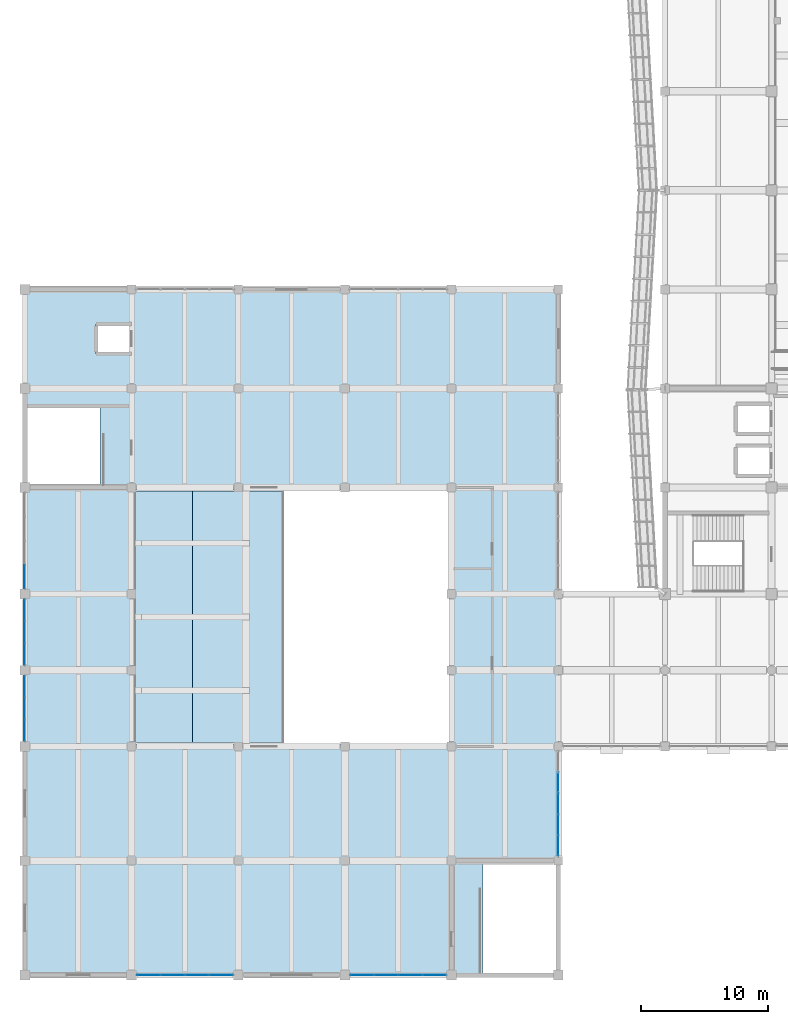
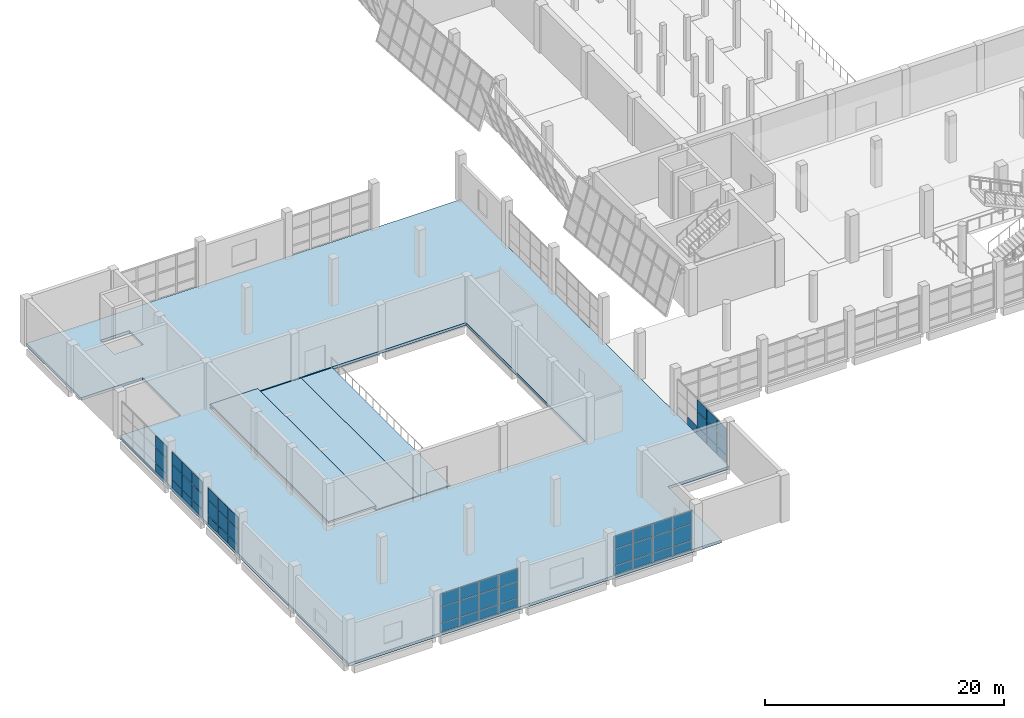
# One storey, part 64 of 91: 55 plates, 4 slabs, 6 elements without a shape of their own.
"""IFC4 building model written with IfcOpenShell, lengths in metres."""

import ifcopenshell
import ifcopenshell.guid

model = None  # the IFC model being written
_history = None  # IfcOwnerHistory: only IFC2X3 demands one
_inside = {}  # id of a spatial element -> (the spatial element, [elements in it])
_under = {}  # id of a project, library or spatial element -> (it, [spatial elements below it])
_declared = {}  # id of a project -> (the project, [libraries it declares])
_typed = {}  # id of a type object -> (the type object, [elements of that type])
_made_of = {}  # id of a material, layer set ... -> (it, [elements and type objects made of it])


def new_model(schema):
    """Start an empty IFC model of exactly this schema.

    Asked for "IFC4X3", IfcOpenShell would pick the latest addendum, in which some entities
    have other attributes; the version numbers below select the first issue.
    IFC2X3 requires an IfcOwnerHistory on every rooted entity: one is made here for all.
    """
    global model, _history
    if schema == "IFC4X3":
        model = ifcopenshell.file(schema_version=(4, 3, 0, 0))
    else:
        model = ifcopenshell.file(schema=schema)
    _inside.clear()
    _under.clear()
    _declared.clear()
    _typed.clear()
    _made_of.clear()
    _history = None
    if model.schema == "IFC2X3":
        org = make("IfcOrganization", Name="unknown")
        user = make(
            "IfcPersonAndOrganization",
            ThePerson=make("IfcPerson", FamilyName="unknown"),
            TheOrganization=org,
        )
        app = make(
            "IfcApplication",
            ApplicationDeveloper=org,
            Version="unknown",
            ApplicationFullName="unknown",
            ApplicationIdentifier="unknown",
        )
        _history = make(
            "IfcOwnerHistory",
            OwningUser=user,
            OwningApplication=app,
            ChangeAction="ADDED",
            CreationDate=0,
        )
    return model


def make(cls, **values):
    """One entity of the class cls with the attributes given. An attribute that is None is left unset."""
    return model.create_entity(
        cls, **{name: value for name, value in values.items() if value is not None}
    )


def rooted(cls, **values):
    """An entity with a GlobalId (a new one), such as an element, a storey or a relation."""
    return make(cls, GlobalId=ifcopenshell.guid.new(), OwnerHistory=_history, **values)


def si_unit(unit_type, name, prefix=None):
    """IfcSIUnit, for example si_unit("LENGTHUNIT", "METRE", prefix="MILLI")."""
    return make("IfcSIUnit", UnitType=unit_type, Prefix=prefix, Name=name)


def assignment(units):
    """IfcUnitAssignment: the units of a project."""
    return None if units is None else make("IfcUnitAssignment", Units=units)


def point(xyz):
    """IfcCartesianPoint."""
    return None if xyz is None else make("IfcCartesianPoint", Coordinates=xyz)


def direction(xyz):
    """IfcDirection."""
    return None if xyz is None else make("IfcDirection", DirectionRatios=xyz)


def frame(location, z_axis=None, x_axis=None):
    """IfcAxis2Placement3D, a coordinate frame: its origin and axes. An axis left out is left unset."""
    return make(
        "IfcAxis2Placement3D",
        Location=point(location),
        Axis=direction(z_axis),
        RefDirection=direction(x_axis),
    )


def origin():
    """The frame at (0, 0, 0) with its axes left unset."""
    return frame((0.0, 0.0, 0.0))


def place(relative_to, where):
    """IfcLocalPlacement: puts the frame where relative to a parent placement (None: the world)."""
    return make(
        "IfcLocalPlacement", PlacementRelTo=relative_to, RelativePlacement=where
    )


def context(
    kind, dimensions, precision=None, world=None, true_north=None, identifier=None
):
    """IfcGeometricRepresentationContext, for example the 3D "Model" context."""
    return make(
        "IfcGeometricRepresentationContext",
        ContextIdentifier=identifier,
        ContextType=kind,
        CoordinateSpaceDimension=dimensions,
        Precision=precision,
        WorldCoordinateSystem=world,
        TrueNorth=true_north,
    )


def subcontext(parent, identifier, kind, view, scale=None):
    """IfcGeometricRepresentationSubContext, for example "Body" below "Model"."""
    return make(
        "IfcGeometricRepresentationSubContext",
        ContextIdentifier=identifier,
        ContextType=kind,
        ParentContext=parent,
        TargetScale=scale,
        TargetView=view,
    )


def project(units=None, contexts=None):
    """IfcProject with its units and contexts."""
    return rooted(
        "IfcProject",
        Name="project",
        RepresentationContexts=contexts,
        UnitsInContext=assignment(units),
    )


def spatial(cls, under=None, at=None, **own):
    """A site, building, storey or space (cls), placed at a placement, below another one or the project."""
    s = rooted(cls, ObjectPlacement=at, **own)
    if under is not None:
        _under.setdefault(under.id(), (under, []))[1].append(s)
    return s


def polyline(points):
    """IfcPolyline through the points."""
    return make("IfcPolyline", Points=[point(p) for p in points])


def outline(outer, holes=None, kind="AREA"):
    """IfcArbitraryClosedProfileDef: a profile drawn as a closed curve; with holes, ...WithVoids."""
    if holes is None:
        return make("IfcArbitraryClosedProfileDef", ProfileType=kind, OuterCurve=outer)
    return make(
        "IfcArbitraryProfileDefWithVoids",
        ProfileType=kind,
        OuterCurve=outer,
        InnerCurves=holes,
    )


def extrude(swept, where, along, depth):
    """IfcExtrudedAreaSolid: the profile swept, set in the frame where, extruded along a direction by depth."""
    return make(
        "IfcExtrudedAreaSolid",
        SweptArea=swept,
        Position=where,
        ExtrudedDirection=direction(along),
        Depth=depth,
    )


def shape(context_of_items, identifier, shape_type, items):
    """IfcShapeRepresentation: the items that make up one representation, for example the "Body"."""
    return make(
        "IfcShapeRepresentation",
        ContextOfItems=context_of_items,
        RepresentationIdentifier=identifier,
        RepresentationType=shape_type,
        Items=items,
    )


def material(Name=None, Category=None):
    """IfcMaterial."""
    return make("IfcMaterial", Name=Name, Category=Category)


def layer(
    of_material, thickness, ventilated=None, Name=None, Category=None, Priority=None
):
    """IfcMaterialLayer: one layer of a wall or slab, of a material (None: an air gap)."""
    return make(
        "IfcMaterialLayer",
        Material=of_material,
        LayerThickness=thickness,
        IsVentilated=ventilated,
        Name=Name,
        Category=Category,
        Priority=Priority,
    )


def layer_set(layers, Name=None):
    """IfcMaterialLayerSet."""
    return make("IfcMaterialLayerSet", MaterialLayers=layers, LayerSetName=Name)


def made_of(thing, what):
    """Note that an element or type object is made of a material, layer set ...; save() writes the relation."""
    if what is not None:
        _made_of.setdefault(what.id(), (what, []))[1].append(thing)
    return thing


def type_object(cls, material=None, **own):
    """A type object (cls), such as IfcWallType, which elements share."""
    return made_of(rooted(cls, **own), material)


def element(
    cls,
    number,
    at=None,
    inside=None,
    cuts=None,
    type_object=None,
    material=None,
    context=None,
    identifier="Body",
    shape_type=None,
    held_by="IfcProductDefinitionShape",
    body=None,
    shapes=None,
    **own,
):
    """One element of the class cls, such as IfcWall. Its Tag is "e" and its number.

    at: its placement. inside: the storey or other place that contains it. cuts: it is an
    opening in that element (IfcRelVoidsElement). A single representation is given by context,
    identifier, shape_type and body (its items); several are given by shapes. held_by: the class
    of the entity that holds the representations. save() writes the other relations.
    """
    e = rooted(cls, Tag="e%d" % number, ObjectPlacement=at, **own)
    if body is not None:
        shapes = [shape(context, identifier, shape_type, body)]
    if shapes is not None:
        e.Representation = make(held_by, Representations=shapes)
    if inside is not None:
        _inside.setdefault(inside.id(), (inside, []))[1].append(e)
    if cuts is not None:
        rooted(
            "IfcRelVoidsElement", RelatingBuildingElement=cuts, RelatedOpeningElement=e
        )
    if type_object is not None:
        _typed.setdefault(type_object.id(), (type_object, []))[1].append(e)
    return made_of(e, material)


def aggregate(whole, parts):
    """IfcRelAggregates: a whole, such as a stair, and the parts it consists of."""
    return rooted("IfcRelAggregates", RelatingObject=whole, RelatedObjects=parts)


def save(model, path):
    """Write the relations noted so far, then the file.

    IfcRelAggregates (storeys below a building ...), IfcRelContainedInSpatialStructure (elements
    in a storey), IfcRelDefinesByType, IfcRelAssociatesMaterial and IfcRelDeclares: one each for
    every whole, place, type object, material and project.
    """
    for whole, parts in _under.values():
        aggregate(whole, parts)
    for where, things in _inside.values():
        rooted(
            "IfcRelContainedInSpatialStructure",
            RelatedElements=things,
            RelatingStructure=where,
        )
    for kind, things in _typed.values():
        rooted("IfcRelDefinesByType", RelatedObjects=things, RelatingType=kind)
    for what, things in _made_of.values():
        rooted("IfcRelAssociatesMaterial", RelatedObjects=things, RelatingMaterial=what)
    for by, libraries in _declared.values():
        rooted("IfcRelDeclares", RelatingContext=by, RelatedDefinitions=libraries)
    model.write(path)


model = new_model("IFC4")

# Units and contexts
model_context = context("Model", 3, precision=1e-05, world=origin(), true_north=direction((0.0, 1.0)))
body_context = subcontext(model_context, "Body", "Model", "MODEL_VIEW")
ifc_project = project(units=[si_unit("LENGTHUNIT", "METRE"), si_unit("AREAUNIT", "SQUARE_METRE"), si_unit("VOLUMEUNIT", "CUBIC_METRE"), si_unit("PLANEANGLEUNIT", "RADIAN"), si_unit("MASSUNIT", "GRAM", prefix="KILO")], contexts=[model_context])

# Site, building, storey
site_placement = place(None, origin())
site = spatial("IfcSite", under=ifc_project, at=site_placement, CompositionType="ELEMENT")
building_placement = place(site_placement, origin())
building = spatial("IfcBuilding", under=site, at=building_placement, Name="Pellamere Symphony Hall", CompositionType="ELEMENT")
storey_placement = place(building_placement, frame((0.0, 0.0, 5.39990234375)))
storey = spatial("IfcBuildingStorey", under=building, at=storey_placement, Name="L01", CompositionType="ELEMENT", Elevation=5.39990234375)

# Curtain wall, plates
ifc_material_1 = material(Name="Thermally Broken Anodised Aluminium 6063-T6 Curtain Wall", Category="aluminium")
curtain_wall_type = type_object("IfcCurtainWallType", Name="Curtain Wall CW-04 (Chamber Music Lobby Curtain Wall)", PredefinedType="NOTDEFINED", material=ifc_material_1)
curtain_wall_1_placement = place(storey_placement, origin())
curtain_wall_1 = element("IfcCurtainWall", 1, at=curtain_wall_1_placement, inside=storey, type_object=curtain_wall_type, Name="Chamber Lobby South Curtain Wall (L01 Bay 1)", PredefinedType="NOTDEFINED")
ifc_material_2 = material(Name="Triple Low-E Argon Acoustic Glazing 36mm", Category="glass")
ifc_layer_1 = layer(ifc_material_2, 0.035888671875, Name="Triple Low-E Argon Acoustic Glazing 36mm")
ifc_layer_set_1 = layer_set([ifc_layer_1], Name="Triple Low-E Argon Acoustic Glazing 36mm")
plate_type = type_object("IfcPlateType", Name="Facade Panel GL-01 36mm", PredefinedType="CURTAIN_PANEL", material=ifc_layer_set_1)
plate_1_placement = place(storey_placement, frame((8.85498046875, 0.0, 0.065185546875), z_axis=(0.0, -1.0, 0.0), x_axis=(1.0, 0.0, 0.0)))
plate_1 = element("IfcPlate", 2, at=plate_1_placement, type_object=plate_type, Name="CW4-114 crystal glass panel 1.1", PredefinedType="CURTAIN_PANEL", context=body_context, shape_type="SweptSolid", body=[
    extrude(outline(polyline([(0.0, 0.0), (1.8076171875, 0.0), (1.8076171875, 0.877685546875), (0.0, 0.877685546875), (0.0, 0.0)])), origin(), (0.0, 0.0, -1.0), 0.035888671875),
])
plate_2_placement = place(storey_placement, frame((8.85498046875, 0.0, 1.008056640625), z_axis=(0.0, -1.0, 0.0), x_axis=(1.0, 0.0, 0.0)))
plate_2 = element("IfcPlate", 3, at=plate_2_placement, type_object=plate_type, Name="CW4-114 crystal glass panel 1.2", PredefinedType="CURTAIN_PANEL", context=body_context, shape_type="SweptSolid", body=[
    extrude(outline(polyline([(0.0, 0.0), (1.8076171875, 0.0), (1.8076171875, 1.641845703125), (0.0, 1.641845703125), (0.0, 0.0)])), origin(), (0.0, 0.0, -1.0), 0.035888671875),
])
plate_3_placement = place(storey_placement, frame((8.85498046875, 0.0, 2.71484375), z_axis=(0.0, -1.0, 0.0), x_axis=(1.0, 0.0, 0.0)))
plate_3 = element("IfcPlate", 4, at=plate_3_placement, type_object=plate_type, Name="CW4-114 crystal glass panel 1.3", PredefinedType="CURTAIN_PANEL", context=body_context, shape_type="SweptSolid", body=[
    extrude(outline(polyline([(0.0, 0.0), (1.8076171875, 0.0), (1.8076171875, 1.2841796875), (0.0, 1.2841796875), (0.0, 0.0)])), origin(), (0.0, 0.0, -1.0), 0.035888671875),
])
plate_4_placement = place(storey_placement, frame((10.7275390625, 0.0, 0.065185546875), z_axis=(0.0, -1.0, 0.0), x_axis=(1.0, 0.0, 0.0)))
plate_4 = element("IfcPlate", 5, at=plate_4_placement, type_object=plate_type, Name="CW4-114 crystal glass panel 2.1", PredefinedType="CURTAIN_PANEL", context=body_context, shape_type="SweptSolid", body=[
    extrude(outline(polyline([(0.0, 0.0), (1.83984375, 0.0), (1.83984375, 0.877685546875), (0.0, 0.877685546875), (0.0, 0.0)])), origin(), (0.0, 0.0, -1.0), 0.035888671875),
])
plate_5_placement = place(storey_placement, frame((10.7275390625, 0.0, 1.008056640625), z_axis=(0.0, -1.0, 0.0), x_axis=(1.0, 0.0, 0.0)))
plate_5 = element("IfcPlate", 6, at=plate_5_placement, type_object=plate_type, Name="CW4-114 crystal glass panel 2.2", PredefinedType="CURTAIN_PANEL", context=body_context, shape_type="SweptSolid", body=[
    extrude(outline(polyline([(0.0, 0.0), (1.83984375, 0.0), (1.83984375, 1.641845703125), (0.0, 1.641845703125), (0.0, 0.0)])), origin(), (0.0, 0.0, -1.0), 0.035888671875),
])
plate_6_placement = place(storey_placement, frame((10.7275390625, 0.0, 2.71484375), z_axis=(0.0, -1.0, 0.0), x_axis=(1.0, 0.0, 0.0)))
plate_6 = element("IfcPlate", 7, at=plate_6_placement, type_object=plate_type, Name="CW4-114 crystal glass panel 2.3", PredefinedType="CURTAIN_PANEL", context=body_context, shape_type="SweptSolid", body=[
    extrude(outline(polyline([(0.0, 0.0), (1.83984375, 0.0), (1.83984375, 1.2841796875), (0.0, 1.2841796875), (0.0, 0.0)])), origin(), (0.0, 0.0, -1.0), 0.035888671875),
])
plate_7_placement = place(storey_placement, frame((12.632568359375, 0.0, 0.065185546875), z_axis=(0.0, -1.0, 0.0), x_axis=(1.0, 0.0, 0.0)))
plate_7 = element("IfcPlate", 8, at=plate_7_placement, type_object=plate_type, Name="CW4-114 crystal glass panel 3.1", PredefinedType="CURTAIN_PANEL", context=body_context, shape_type="SweptSolid", body=[
    extrude(outline(polyline([(0.0, 0.0), (1.83984375, 0.0), (1.83984375, 0.877685546875), (0.0, 0.877685546875), (0.0, 0.0)])), origin(), (0.0, 0.0, -1.0), 0.035888671875),
])
plate_8_placement = place(storey_placement, frame((12.632568359375, 0.0, 1.008056640625), z_axis=(0.0, -1.0, 0.0), x_axis=(1.0, 0.0, 0.0)))
plate_8 = element("IfcPlate", 9, at=plate_8_placement, type_object=plate_type, Name="CW4-114 crystal glass panel 3.2", PredefinedType="CURTAIN_PANEL", context=body_context, shape_type="SweptSolid", body=[
    extrude(outline(polyline([(0.0, 0.0), (1.83984375, 0.0), (1.83984375, 1.641845703125), (0.0, 1.641845703125), (0.0, 0.0)])), origin(), (0.0, 0.0, -1.0), 0.035888671875),
])
plate_9_placement = place(storey_placement, frame((12.632568359375, 0.0, 2.71484375), z_axis=(0.0, -1.0, 0.0), x_axis=(1.0, 0.0, 0.0)))
plate_9 = element("IfcPlate", 10, at=plate_9_placement, type_object=plate_type, Name="CW4-114 crystal glass panel 3.3", PredefinedType="CURTAIN_PANEL", context=body_context, shape_type="SweptSolid", body=[
    extrude(outline(polyline([(0.0, 0.0), (1.83984375, 0.0), (1.83984375, 1.2841796875), (0.0, 1.2841796875), (0.0, 0.0)])), origin(), (0.0, 0.0, -1.0), 0.035888671875),
])
plate_10_placement = place(storey_placement, frame((14.53759765625, 0.0, 0.065185546875), z_axis=(0.0, -1.0, 0.0), x_axis=(1.0, 0.0, 0.0)))
plate_10 = element("IfcPlate", 11, at=plate_10_placement, type_object=plate_type, Name="CW4-114 crystal glass panel 4.1", PredefinedType="CURTAIN_PANEL", context=body_context, shape_type="SweptSolid", body=[
    extrude(outline(polyline([(0.0, 0.0), (1.807373046875, 0.0), (1.807373046875, 0.877685546875), (0.0, 0.877685546875), (0.0, 0.0)])), origin(), (0.0, 0.0, -1.0), 0.035888671875),
])
plate_11_placement = place(storey_placement, frame((14.53759765625, 0.0, 1.008056640625), z_axis=(0.0, -1.0, 0.0), x_axis=(1.0, 0.0, 0.0)))
plate_11 = element("IfcPlate", 12, at=plate_11_placement, type_object=plate_type, Name="CW4-114 crystal glass panel 4.2", PredefinedType="CURTAIN_PANEL", context=body_context, shape_type="SweptSolid", body=[
    extrude(outline(polyline([(0.0, 0.0), (1.807373046875, 0.0), (1.807373046875, 1.641845703125), (0.0, 1.641845703125), (0.0, 0.0)])), origin(), (0.0, 0.0, -1.0), 0.035888671875),
])
plate_12_placement = place(storey_placement, frame((14.53759765625, 0.0, 2.71484375), z_axis=(0.0, -1.0, 0.0), x_axis=(1.0, 0.0, 0.0)))
plate_12 = element("IfcPlate", 13, at=plate_12_placement, type_object=plate_type, Name="CW4-114 crystal glass panel 4.3", PredefinedType="CURTAIN_PANEL", context=body_context, shape_type="SweptSolid", body=[
    extrude(outline(polyline([(0.0, 0.0), (1.807373046875, 0.0), (1.807373046875, 1.2841796875), (0.0, 1.2841796875), (0.0, 0.0)])), origin(), (0.0, 0.0, -1.0), 0.035888671875),
])
aggregate(curtain_wall_1, [plate_1, plate_2, plate_3, plate_4, plate_5, plate_6, plate_7, plate_8, plate_9, plate_10, plate_11, plate_12])

curtain_wall_2_placement = place(storey_placement, origin())
curtain_wall_2 = element("IfcCurtainWall", 14, at=curtain_wall_2_placement, inside=storey, type_object=curtain_wall_type, Name="Chamber Lobby South Curtain Wall (L01 Bay 2)", PredefinedType="NOTDEFINED")
plate_13_placement = place(storey_placement, frame((25.655029296875, 0.0, 0.065185546875), z_axis=(0.0, -1.0, 0.0), x_axis=(1.0, 0.0, 0.0)))
plate_13 = element("IfcPlate", 15, at=plate_13_placement, type_object=plate_type, Name="CW4-115 crystal glass panel 1.1", PredefinedType="CURTAIN_PANEL", context=body_context, shape_type="SweptSolid", body=[
    extrude(outline(polyline([(0.0, 0.0), (1.807373046875, 0.0), (1.807373046875, 0.877685546875), (0.0, 0.877685546875), (0.0, 0.0)])), origin(), (0.0, 0.0, -1.0), 0.035888671875),
])
plate_14_placement = place(storey_placement, frame((25.655029296875, 0.0, 1.008056640625), z_axis=(0.0, -1.0, 0.0), x_axis=(1.0, 0.0, 0.0)))
plate_14 = element("IfcPlate", 16, at=plate_14_placement, type_object=plate_type, Name="CW4-115 crystal glass panel 1.2", PredefinedType="CURTAIN_PANEL", context=body_context, shape_type="SweptSolid", body=[
    extrude(outline(polyline([(0.0, 0.0), (1.807373046875, 0.0), (1.807373046875, 1.641845703125), (0.0, 1.641845703125), (0.0, 0.0)])), origin(), (0.0, 0.0, -1.0), 0.035888671875),
])
plate_15_placement = place(storey_placement, frame((25.655029296875, 0.0, 2.71484375), z_axis=(0.0, -1.0, 0.0), x_axis=(1.0, 0.0, 0.0)))
plate_15 = element("IfcPlate", 17, at=plate_15_placement, type_object=plate_type, Name="CW4-115 crystal glass panel 1.3", PredefinedType="CURTAIN_PANEL", context=body_context, shape_type="SweptSolid", body=[
    extrude(outline(polyline([(0.0, 0.0), (1.807373046875, 0.0), (1.807373046875, 1.2841796875), (0.0, 1.2841796875), (0.0, 0.0)])), origin(), (0.0, 0.0, -1.0), 0.035888671875),
])
plate_16_placement = place(storey_placement, frame((27.527587890625, 0.0, 0.065185546875), z_axis=(0.0, -1.0, 0.0), x_axis=(1.0, 0.0, 0.0)))
plate_16 = element("IfcPlate", 18, at=plate_16_placement, type_object=plate_type, Name="CW4-115 crystal glass panel 2.1", PredefinedType="CURTAIN_PANEL", context=body_context, shape_type="SweptSolid", body=[
    extrude(outline(polyline([(0.0, 0.0), (1.83984375, 0.0), (1.83984375, 0.877685546875), (0.0, 0.877685546875), (0.0, 0.0)])), origin(), (0.0, 0.0, -1.0), 0.035888671875),
])
plate_17_placement = place(storey_placement, frame((27.527587890625, 0.0, 1.008056640625), z_axis=(0.0, -1.0, 0.0), x_axis=(1.0, 0.0, 0.0)))
plate_17 = element("IfcPlate", 19, at=plate_17_placement, type_object=plate_type, Name="CW4-115 crystal glass panel 2.2", PredefinedType="CURTAIN_PANEL", context=body_context, shape_type="SweptSolid", body=[
    extrude(outline(polyline([(0.0, 0.0), (1.83984375, 0.0), (1.83984375, 1.641845703125), (0.0, 1.641845703125), (0.0, 0.0)])), origin(), (0.0, 0.0, -1.0), 0.035888671875),
])
plate_18_placement = place(storey_placement, frame((27.527587890625, 0.0, 2.71484375), z_axis=(0.0, -1.0, 0.0), x_axis=(1.0, 0.0, 0.0)))
plate_18 = element("IfcPlate", 20, at=plate_18_placement, type_object=plate_type, Name="CW4-115 crystal glass panel 2.3", PredefinedType="CURTAIN_PANEL", context=body_context, shape_type="SweptSolid", body=[
    extrude(outline(polyline([(0.0, 0.0), (1.83984375, 0.0), (1.83984375, 1.2841796875), (0.0, 1.2841796875), (0.0, 0.0)])), origin(), (0.0, 0.0, -1.0), 0.035888671875),
])
plate_19_placement = place(storey_placement, frame((29.4326171875, 0.0, 0.065185546875), z_axis=(0.0, -1.0, 0.0), x_axis=(1.0, 0.0, 0.0)))
plate_19 = element("IfcPlate", 21, at=plate_19_placement, type_object=plate_type, Name="CW4-115 crystal glass panel 3.1", PredefinedType="CURTAIN_PANEL", context=body_context, shape_type="SweptSolid", body=[
    extrude(outline(polyline([(0.0, 0.0), (1.83984375, 0.0), (1.83984375, 0.877685546875), (0.0, 0.877685546875), (0.0, 0.0)])), origin(), (0.0, 0.0, -1.0), 0.035888671875),
])
plate_20_placement = place(storey_placement, frame((29.4326171875, 0.0, 1.008056640625), z_axis=(0.0, -1.0, 0.0), x_axis=(1.0, 0.0, 0.0)))
plate_20 = element("IfcPlate", 22, at=plate_20_placement, type_object=plate_type, Name="CW4-115 crystal glass panel 3.2", PredefinedType="CURTAIN_PANEL", context=body_context, shape_type="SweptSolid", body=[
    extrude(outline(polyline([(0.0, 0.0), (1.83984375, 0.0), (1.83984375, 1.641845703125), (0.0, 1.641845703125), (0.0, 0.0)])), origin(), (0.0, 0.0, -1.0), 0.035888671875),
])
plate_21_placement = place(storey_placement, frame((29.4326171875, 0.0, 2.71484375), z_axis=(0.0, -1.0, 0.0), x_axis=(1.0, 0.0, 0.0)))
plate_21 = element("IfcPlate", 23, at=plate_21_placement, type_object=plate_type, Name="CW4-115 crystal glass panel 3.3", PredefinedType="CURTAIN_PANEL", context=body_context, shape_type="SweptSolid", body=[
    extrude(outline(polyline([(0.0, 0.0), (1.83984375, 0.0), (1.83984375, 1.2841796875), (0.0, 1.2841796875), (0.0, 0.0)])), origin(), (0.0, 0.0, -1.0), 0.035888671875),
])
plate_22_placement = place(storey_placement, frame((31.33740234375, 0.0, 0.065185546875), z_axis=(0.0, -1.0, 0.0), x_axis=(1.0, 0.0, 0.0)))
plate_22 = element("IfcPlate", 24, at=plate_22_placement, type_object=plate_type, Name="CW4-115 crystal glass panel 4.1", PredefinedType="CURTAIN_PANEL", context=body_context, shape_type="SweptSolid", body=[
    extrude(outline(polyline([(0.0, 0.0), (1.8076171875, 0.0), (1.8076171875, 0.877685546875), (0.0, 0.877685546875), (0.0, 0.0)])), origin(), (0.0, 0.0, -1.0), 0.035888671875),
])
plate_23_placement = place(storey_placement, frame((31.33740234375, 0.0, 1.008056640625), z_axis=(0.0, -1.0, 0.0), x_axis=(1.0, 0.0, 0.0)))
plate_23 = element("IfcPlate", 25, at=plate_23_placement, type_object=plate_type, Name="CW4-115 crystal glass panel 4.2", PredefinedType="CURTAIN_PANEL", context=body_context, shape_type="SweptSolid", body=[
    extrude(outline(polyline([(0.0, 0.0), (1.8076171875, 0.0), (1.8076171875, 1.641845703125), (0.0, 1.641845703125), (0.0, 0.0)])), origin(), (0.0, 0.0, -1.0), 0.035888671875),
])
plate_24_placement = place(storey_placement, frame((31.33740234375, 0.0, 2.71484375), z_axis=(0.0, -1.0, 0.0), x_axis=(1.0, 0.0, 0.0)))
plate_24 = element("IfcPlate", 26, at=plate_24_placement, type_object=plate_type, Name="CW4-115 crystal glass panel 4.3", PredefinedType="CURTAIN_PANEL", context=body_context, shape_type="SweptSolid", body=[
    extrude(outline(polyline([(0.0, 0.0), (1.8076171875, 0.0), (1.8076171875, 1.2841796875), (0.0, 1.2841796875), (0.0, 0.0)])), origin(), (0.0, 0.0, -1.0), 0.035888671875),
])
aggregate(curtain_wall_2, [plate_13, plate_14, plate_15, plate_16, plate_17, plate_18, plate_19, plate_20, plate_21, plate_22, plate_23, plate_24])

curtain_wall_3_placement = place(storey_placement, origin())
curtain_wall_3 = element("IfcCurtainWall", 27, at=curtain_wall_3_placement, inside=storey, type_object=curtain_wall_type, Name="Chamber Forecourt East Curtain Wall (L01 Bay 1)", PredefinedType="NOTDEFINED")
plate_25_placement = place(storey_placement, frame((42.0, 9.4150390625, 0.065185546875), z_axis=(1.0, 0.0, 0.0), x_axis=(0.0, 1.0, 0.0)))
plate_25 = element("IfcPlate", 28, at=plate_25_placement, type_object=plate_type, Name="CW4E-116 crystal glass panel 1.1", PredefinedType="CURTAIN_PANEL", context=body_context, shape_type="SweptSolid", body=[
    extrude(outline(polyline([(0.0, 0.0), (1.5625, 0.0), (1.5625, 0.79052734375), (0.0, 0.79052734375), (0.0, 0.0)])), origin(), (0.0, 0.0, -1.0), 0.035888671875),
])
plate_26_placement = place(storey_placement, frame((42.0, 9.4150390625, 0.920654296875), z_axis=(1.0, 0.0, 0.0), x_axis=(0.0, 1.0, 0.0)))
plate_26 = element("IfcPlate", 29, at=plate_26_placement, type_object=plate_type, Name="CW4E-116 crystal glass panel 1.2", PredefinedType="CURTAIN_PANEL", context=body_context, shape_type="SweptSolid", body=[
    extrude(outline(polyline([(0.0, 0.0), (1.5625, 0.0), (1.5625, 1.489013671875), (0.0, 1.489013671875), (0.0, 0.0)])), origin(), (0.0, 0.0, -1.0), 0.035888671875),
])
plate_27_placement = place(storey_placement, frame((42.0, 9.4150390625, 2.474609375), z_axis=(1.0, 0.0, 0.0), x_axis=(0.0, 1.0, 0.0)))
plate_27 = element("IfcPlate", 30, at=plate_27_placement, type_object=plate_type, Name="CW4E-116 crystal glass panel 1.3", PredefinedType="CURTAIN_PANEL", context=body_context, shape_type="SweptSolid", body=[
    extrude(outline(polyline([(0.0, 0.0), (1.5625, 0.0), (1.5625, 1.160400390625), (0.0, 1.160400390625), (0.0, 0.0)])), origin(), (0.0, 0.0, -1.0), 0.035888671875),
])
plate_28_placement = place(storey_placement, frame((42.0, 11.04248046875, 0.065185546875), z_axis=(1.0, 0.0, 0.0), x_axis=(0.0, 1.0, 0.0)))
plate_28 = element("IfcPlate", 31, at=plate_28_placement, type_object=plate_type, Name="CW4E-116 crystal glass panel 2.1", PredefinedType="CURTAIN_PANEL", context=body_context, shape_type="SweptSolid", body=[
    extrude(outline(polyline([(0.0, 0.0), (1.594970703125, 0.0), (1.594970703125, 0.79052734375), (0.0, 0.79052734375), (0.0, 0.0)])), origin(), (0.0, 0.0, -1.0), 0.035888671875),
])
plate_29_placement = place(storey_placement, frame((42.0, 11.04248046875, 0.920654296875), z_axis=(1.0, 0.0, 0.0), x_axis=(0.0, 1.0, 0.0)))
plate_29 = element("IfcPlate", 32, at=plate_29_placement, type_object=plate_type, Name="CW4E-116 crystal glass panel 2.2", PredefinedType="CURTAIN_PANEL", context=body_context, shape_type="SweptSolid", body=[
    extrude(outline(polyline([(0.0, 0.0), (1.594970703125, 0.0), (1.594970703125, 1.489013671875), (0.0, 1.489013671875), (0.0, 0.0)])), origin(), (0.0, 0.0, -1.0), 0.035888671875),
])
plate_30_placement = place(storey_placement, frame((42.0, 11.04248046875, 2.474609375), z_axis=(1.0, 0.0, 0.0), x_axis=(0.0, 1.0, 0.0)))
plate_30 = element("IfcPlate", 33, at=plate_30_placement, type_object=plate_type, Name="CW4E-116 crystal glass panel 2.3", PredefinedType="CURTAIN_PANEL", context=body_context, shape_type="SweptSolid", body=[
    extrude(outline(polyline([(0.0, 0.0), (1.594970703125, 0.0), (1.594970703125, 1.160400390625), (0.0, 1.160400390625), (0.0, 0.0)])), origin(), (0.0, 0.0, -1.0), 0.035888671875),
])
plate_31_placement = place(storey_placement, frame((42.0, 12.702392578125, 0.065185546875), z_axis=(1.0, 0.0, 0.0), x_axis=(0.0, 1.0, 0.0)))
plate_31 = element("IfcPlate", 34, at=plate_31_placement, type_object=plate_type, Name="CW4E-116 crystal glass panel 3.1", PredefinedType="CURTAIN_PANEL", context=body_context, shape_type="SweptSolid", body=[
    extrude(outline(polyline([(0.0, 0.0), (1.59521484375, 0.0), (1.59521484375, 0.79052734375), (0.0, 0.79052734375), (0.0, 0.0)])), origin(), (0.0, 0.0, -1.0), 0.035888671875),
])
plate_32_placement = place(storey_placement, frame((42.0, 12.702392578125, 0.920654296875), z_axis=(1.0, 0.0, 0.0), x_axis=(0.0, 1.0, 0.0)))
plate_32 = element("IfcPlate", 35, at=plate_32_placement, type_object=plate_type, Name="CW4E-116 crystal glass panel 3.2", PredefinedType="CURTAIN_PANEL", context=body_context, shape_type="SweptSolid", body=[
    extrude(outline(polyline([(0.0, 0.0), (1.59521484375, 0.0), (1.59521484375, 1.489013671875), (0.0, 1.489013671875), (0.0, 0.0)])), origin(), (0.0, 0.0, -1.0), 0.035888671875),
])
plate_33_placement = place(storey_placement, frame((42.0, 12.702392578125, 2.474609375), z_axis=(1.0, 0.0, 0.0), x_axis=(0.0, 1.0, 0.0)))
plate_33 = element("IfcPlate", 36, at=plate_33_placement, type_object=plate_type, Name="CW4E-116 crystal glass panel 3.3", PredefinedType="CURTAIN_PANEL", context=body_context, shape_type="SweptSolid", body=[
    extrude(outline(polyline([(0.0, 0.0), (1.59521484375, 0.0), (1.59521484375, 1.160400390625), (0.0, 1.160400390625), (0.0, 0.0)])), origin(), (0.0, 0.0, -1.0), 0.035888671875),
])
plate_34_placement = place(storey_placement, frame((42.0, 14.362548828125, 0.065185546875), z_axis=(1.0, 0.0, 0.0), x_axis=(0.0, 1.0, 0.0)))
plate_34 = element("IfcPlate", 37, at=plate_34_placement, type_object=plate_type, Name="CW4E-116 crystal glass panel 4.1", PredefinedType="CURTAIN_PANEL", context=body_context, shape_type="SweptSolid", body=[
    extrude(outline(polyline([(0.0, 0.0), (1.594970703125, 0.0), (1.594970703125, 0.79052734375), (0.0, 0.79052734375), (0.0, 0.0)])), origin(), (0.0, 0.0, -1.0), 0.035888671875),
])
aggregate(curtain_wall_3, [plate_25, plate_26, plate_27, plate_28, plate_29, plate_30, plate_31, plate_32, plate_33, plate_34])

curtain_wall_4_placement = place(storey_placement, origin())
curtain_wall_4 = element("IfcCurtainWall", 38, at=curtain_wall_4_placement, inside=storey, type_object=curtain_wall_type, Name="Chamber West Gallery Curtain Wall (L01 Bay 1)", PredefinedType="NOTDEFINED")
plate_35_placement = place(storey_placement, frame((0.0, 18.455078125, 0.065185546875), z_axis=(1.0, 0.0, 0.0), x_axis=(0.0, 1.0, 0.0)))
plate_35 = element("IfcPlate", 39, at=plate_35_placement, type_object=plate_type, Name="CW4W-121 crystal glass panel 1.1", PredefinedType="CURTAIN_PANEL", context=body_context, shape_type="SweptSolid", body=[
    extrude(outline(polyline([(0.0, 0.0), (1.642333984375, 0.0), (1.642333984375, 0.814453125), (0.0, 0.814453125), (0.0, 0.0)])), origin(), (0.0, 0.0, -1.0), 0.035888671875),
])
plate_36_placement = place(storey_placement, frame((0.0, 18.455078125, 0.944580078125), z_axis=(1.0, 0.0, 0.0), x_axis=(0.0, 1.0, 0.0)))
plate_36 = element("IfcPlate", 40, at=plate_36_placement, type_object=plate_type, Name="CW4W-121 crystal glass panel 1.2", PredefinedType="CURTAIN_PANEL", context=body_context, shape_type="SweptSolid", body=[
    extrude(outline(polyline([(0.0, 0.0), (1.642333984375, 0.0), (1.642333984375, 1.531005859375), (0.0, 1.531005859375), (0.0, 0.0)])), origin(), (0.0, 0.0, -1.0), 0.035888671875),
])
plate_37_placement = place(storey_placement, frame((0.0, 18.455078125, 2.54052734375), z_axis=(1.0, 0.0, 0.0), x_axis=(0.0, 1.0, 0.0)))
plate_37 = element("IfcPlate", 41, at=plate_37_placement, type_object=plate_type, Name="CW4W-121 crystal glass panel 1.3", PredefinedType="CURTAIN_PANEL", context=body_context, shape_type="SweptSolid", body=[
    extrude(outline(polyline([(0.0, 0.0), (1.642333984375, 0.0), (1.642333984375, 1.194580078125), (0.0, 1.194580078125), (0.0, 0.0)])), origin(), (0.0, 0.0, -1.0), 0.035888671875),
])
plate_38_placement = place(storey_placement, frame((0.0, 20.16259765625, 0.065185546875), z_axis=(1.0, 0.0, 0.0), x_axis=(0.0, 1.0, 0.0)))
plate_38 = element("IfcPlate", 42, at=plate_38_placement, type_object=plate_type, Name="CW4W-121 crystal glass panel 2.1", PredefinedType="CURTAIN_PANEL", context=body_context, shape_type="SweptSolid", body=[
    extrude(outline(polyline([(0.0, 0.0), (1.6748046875, 0.0), (1.6748046875, 0.814453125), (0.0, 0.814453125), (0.0, 0.0)])), origin(), (0.0, 0.0, -1.0), 0.035888671875),
])
plate_39_placement = place(storey_placement, frame((0.0, 20.16259765625, 0.944580078125), z_axis=(1.0, 0.0, 0.0), x_axis=(0.0, 1.0, 0.0)))
plate_39 = element("IfcPlate", 43, at=plate_39_placement, type_object=plate_type, Name="CW4W-121 crystal glass panel 2.2", PredefinedType="CURTAIN_PANEL", context=body_context, shape_type="SweptSolid", body=[
    extrude(outline(polyline([(0.0, 0.0), (1.6748046875, 0.0), (1.6748046875, 1.531005859375), (0.0, 1.531005859375), (0.0, 0.0)])), origin(), (0.0, 0.0, -1.0), 0.035888671875),
])
plate_40_placement = place(storey_placement, frame((0.0, 20.16259765625, 2.54052734375), z_axis=(1.0, 0.0, 0.0), x_axis=(0.0, 1.0, 0.0)))
plate_40 = element("IfcPlate", 44, at=plate_40_placement, type_object=plate_type, Name="CW4W-121 crystal glass panel 2.3", PredefinedType="CURTAIN_PANEL", context=body_context, shape_type="SweptSolid", body=[
    extrude(outline(polyline([(0.0, 0.0), (1.6748046875, 0.0), (1.6748046875, 1.194580078125), (0.0, 1.194580078125), (0.0, 0.0)])), origin(), (0.0, 0.0, -1.0), 0.035888671875),
])
plate_41_placement = place(storey_placement, frame((0.0, 21.902587890625, 0.065185546875), z_axis=(1.0, 0.0, 0.0), x_axis=(0.0, 1.0, 0.0)))
plate_41 = element("IfcPlate", 45, at=plate_41_placement, type_object=plate_type, Name="CW4W-121 crystal glass panel 3.1", PredefinedType="CURTAIN_PANEL", context=body_context, shape_type="SweptSolid", body=[
    extrude(outline(polyline([(0.0, 0.0), (1.642333984375, 0.0), (1.642333984375, 0.814453125), (0.0, 0.814453125), (0.0, 0.0)])), origin(), (0.0, 0.0, -1.0), 0.035888671875),
])
plate_42_placement = place(storey_placement, frame((0.0, 21.902587890625, 0.944580078125), z_axis=(1.0, 0.0, 0.0), x_axis=(0.0, 1.0, 0.0)))
plate_42 = element("IfcPlate", 46, at=plate_42_placement, type_object=plate_type, Name="CW4W-121 crystal glass panel 3.2", PredefinedType="CURTAIN_PANEL", context=body_context, shape_type="SweptSolid", body=[
    extrude(outline(polyline([(0.0, 0.0), (1.642333984375, 0.0), (1.642333984375, 1.531005859375), (0.0, 1.531005859375), (0.0, 0.0)])), origin(), (0.0, 0.0, -1.0), 0.035888671875),
])
plate_43_placement = place(storey_placement, frame((0.0, 21.902587890625, 2.54052734375), z_axis=(1.0, 0.0, 0.0), x_axis=(0.0, 1.0, 0.0)))
plate_43 = element("IfcPlate", 47, at=plate_43_placement, type_object=plate_type, Name="CW4W-121 crystal glass panel 3.3", PredefinedType="CURTAIN_PANEL", context=body_context, shape_type="SweptSolid", body=[
    extrude(outline(polyline([(0.0, 0.0), (1.642333984375, 0.0), (1.642333984375, 1.194580078125), (0.0, 1.194580078125), (0.0, 0.0)])), origin(), (0.0, 0.0, -1.0), 0.035888671875),
])
aggregate(curtain_wall_4, [plate_35, plate_36, plate_37, plate_38, plate_39, plate_40, plate_41, plate_42, plate_43])

curtain_wall_5_placement = place(storey_placement, origin())
curtain_wall_5 = element("IfcCurtainWall", 48, at=curtain_wall_5_placement, inside=storey, type_object=curtain_wall_type, Name="Chamber West Gallery Curtain Wall (L01 Bay 2)", PredefinedType="NOTDEFINED")
plate_44_placement = place(storey_placement, frame((0.0, 24.455078125, 0.065185546875), z_axis=(1.0, 0.0, 0.0), x_axis=(0.0, 1.0, 0.0)))
plate_44 = element("IfcPlate", 49, at=plate_44_placement, type_object=plate_type, Name="CW4W-122 crystal glass panel 1.1", PredefinedType="CURTAIN_PANEL", context=body_context, shape_type="SweptSolid", body=[
    extrude(outline(polyline([(0.0, 0.0), (1.642333984375, 0.0), (1.642333984375, 0.814453125), (0.0, 0.814453125), (0.0, 0.0)])), origin(), (0.0, 0.0, -1.0), 0.035888671875),
])
plate_45_placement = place(storey_placement, frame((0.0, 24.455078125, 0.944580078125), z_axis=(1.0, 0.0, 0.0), x_axis=(0.0, 1.0, 0.0)))
plate_45 = element("IfcPlate", 50, at=plate_45_placement, type_object=plate_type, Name="CW4W-122 crystal glass panel 1.2", PredefinedType="CURTAIN_PANEL", context=body_context, shape_type="SweptSolid", body=[
    extrude(outline(polyline([(0.0, 0.0), (1.642333984375, 0.0), (1.642333984375, 1.531005859375), (0.0, 1.531005859375), (0.0, 0.0)])), origin(), (0.0, 0.0, -1.0), 0.035888671875),
])
plate_46_placement = place(storey_placement, frame((0.0, 24.455078125, 2.54052734375), z_axis=(1.0, 0.0, 0.0), x_axis=(0.0, 1.0, 0.0)))
plate_46 = element("IfcPlate", 51, at=plate_46_placement, type_object=plate_type, Name="CW4W-122 crystal glass panel 1.3", PredefinedType="CURTAIN_PANEL", context=body_context, shape_type="SweptSolid", body=[
    extrude(outline(polyline([(0.0, 0.0), (1.642333984375, 0.0), (1.642333984375, 1.194580078125), (0.0, 1.194580078125), (0.0, 0.0)])), origin(), (0.0, 0.0, -1.0), 0.035888671875),
])
plate_47_placement = place(storey_placement, frame((0.0, 26.16259765625, 0.065185546875), z_axis=(1.0, 0.0, 0.0), x_axis=(0.0, 1.0, 0.0)))
plate_47 = element("IfcPlate", 52, at=plate_47_placement, type_object=plate_type, Name="CW4W-122 crystal glass panel 2.1", PredefinedType="CURTAIN_PANEL", context=body_context, shape_type="SweptSolid", body=[
    extrude(outline(polyline([(0.0, 0.0), (1.6748046875, 0.0), (1.6748046875, 0.814453125), (0.0, 0.814453125), (0.0, 0.0)])), origin(), (0.0, 0.0, -1.0), 0.035888671875),
])
plate_48_placement = place(storey_placement, frame((0.0, 26.16259765625, 0.944580078125), z_axis=(1.0, 0.0, 0.0), x_axis=(0.0, 1.0, 0.0)))
plate_48 = element("IfcPlate", 53, at=plate_48_placement, type_object=plate_type, Name="CW4W-122 crystal glass panel 2.2", PredefinedType="CURTAIN_PANEL", context=body_context, shape_type="SweptSolid", body=[
    extrude(outline(polyline([(0.0, 0.0), (1.6748046875, 0.0), (1.6748046875, 1.531005859375), (0.0, 1.531005859375), (0.0, 0.0)])), origin(), (0.0, 0.0, -1.0), 0.035888671875),
])
plate_49_placement = place(storey_placement, frame((0.0, 26.16259765625, 2.54052734375), z_axis=(1.0, 0.0, 0.0), x_axis=(0.0, 1.0, 0.0)))
plate_49 = element("IfcPlate", 54, at=plate_49_placement, type_object=plate_type, Name="CW4W-122 crystal glass panel 2.3", PredefinedType="CURTAIN_PANEL", context=body_context, shape_type="SweptSolid", body=[
    extrude(outline(polyline([(0.0, 0.0), (1.6748046875, 0.0), (1.6748046875, 1.194580078125), (0.0, 1.194580078125), (0.0, 0.0)])), origin(), (0.0, 0.0, -1.0), 0.035888671875),
])
plate_50_placement = place(storey_placement, frame((0.0, 27.902587890625, 0.065185546875), z_axis=(1.0, 0.0, 0.0), x_axis=(0.0, 1.0, 0.0)))
plate_50 = element("IfcPlate", 55, at=plate_50_placement, type_object=plate_type, Name="CW4W-122 crystal glass panel 3.1", PredefinedType="CURTAIN_PANEL", context=body_context, shape_type="SweptSolid", body=[
    extrude(outline(polyline([(0.0, 0.0), (1.642333984375, 0.0), (1.642333984375, 0.814453125), (0.0, 0.814453125), (0.0, 0.0)])), origin(), (0.0, 0.0, -1.0), 0.035888671875),
])
plate_51_placement = place(storey_placement, frame((0.0, 27.902587890625, 0.944580078125), z_axis=(1.0, 0.0, 0.0), x_axis=(0.0, 1.0, 0.0)))
plate_51 = element("IfcPlate", 56, at=plate_51_placement, type_object=plate_type, Name="CW4W-122 crystal glass panel 3.2", PredefinedType="CURTAIN_PANEL", context=body_context, shape_type="SweptSolid", body=[
    extrude(outline(polyline([(0.0, 0.0), (1.642333984375, 0.0), (1.642333984375, 1.531005859375), (0.0, 1.531005859375), (0.0, 0.0)])), origin(), (0.0, 0.0, -1.0), 0.035888671875),
])
plate_52_placement = place(storey_placement, frame((0.0, 27.902587890625, 2.54052734375), z_axis=(1.0, 0.0, 0.0), x_axis=(0.0, 1.0, 0.0)))
plate_52 = element("IfcPlate", 57, at=plate_52_placement, type_object=plate_type, Name="CW4W-122 crystal glass panel 3.3", PredefinedType="CURTAIN_PANEL", context=body_context, shape_type="SweptSolid", body=[
    extrude(outline(polyline([(0.0, 0.0), (1.642333984375, 0.0), (1.642333984375, 1.194580078125), (0.0, 1.194580078125), (0.0, 0.0)])), origin(), (0.0, 0.0, -1.0), 0.035888671875),
])
aggregate(curtain_wall_5, [plate_44, plate_45, plate_46, plate_47, plate_48, plate_49, plate_50, plate_51, plate_52])

curtain_wall_6_placement = place(storey_placement, origin())
curtain_wall_6 = element("IfcCurtainWall", 58, at=curtain_wall_6_placement, inside=storey, type_object=curtain_wall_type, Name="Chamber West Gallery Curtain Wall (L01 Bay 3)", PredefinedType="NOTDEFINED")
plate_53_placement = place(storey_placement, frame((0.0, 30.455078125, 0.065185546875), z_axis=(1.0, 0.0, 0.0), x_axis=(0.0, 1.0, 0.0)))
plate_53 = element("IfcPlate", 59, at=plate_53_placement, type_object=plate_type, Name="CW4W-123 crystal glass panel 1.1", PredefinedType="CURTAIN_PANEL", context=body_context, shape_type="SweptSolid", body=[
    extrude(outline(polyline([(0.0, 0.0), (1.807373046875, 0.0), (1.807373046875, 0.814453125), (0.0, 0.814453125), (0.0, 0.0)])), origin(), (0.0, 0.0, -1.0), 0.035888671875),
])
plate_54_placement = place(storey_placement, frame((0.0, 30.455078125, 0.944580078125), z_axis=(1.0, 0.0, 0.0), x_axis=(0.0, 1.0, 0.0)))
plate_54 = element("IfcPlate", 60, at=plate_54_placement, type_object=plate_type, Name="CW4W-123 crystal glass panel 1.2", PredefinedType="CURTAIN_PANEL", context=body_context, shape_type="SweptSolid", body=[
    extrude(outline(polyline([(0.0, 0.0), (1.807373046875, 0.0), (1.807373046875, 1.531005859375), (0.0, 1.531005859375), (0.0, 0.0)])), origin(), (0.0, 0.0, -1.0), 0.035888671875),
])
plate_55_placement = place(storey_placement, frame((0.0, 30.455078125, 2.54052734375), z_axis=(1.0, 0.0, 0.0), x_axis=(0.0, 1.0, 0.0)))
plate_55 = element("IfcPlate", 61, at=plate_55_placement, type_object=plate_type, Name="CW4W-123 crystal glass panel 1.3", PredefinedType="CURTAIN_PANEL", context=body_context, shape_type="SweptSolid", body=[
    extrude(outline(polyline([(0.0, 0.0), (1.807373046875, 0.0), (1.807373046875, 1.194580078125), (0.0, 1.194580078125), (0.0, 0.0)])), origin(), (0.0, 0.0, -1.0), 0.035888671875),
])
aggregate(curtain_wall_6, [plate_53, plate_54, plate_55])

# Slabs
ifc_material_3 = material(Name="Architectural warm-pigmented concrete 40 MPa", Category="concrete")
ifc_layer_2 = layer(ifc_material_3, 0.239990234375, Name="Architectural warm-pigmented concrete 40 MPa")
ifc_layer_set_2 = layer_set([ifc_layer_2], Name="Architectural warm-pigmented concrete 40 MPa")
slab_type_1 = type_object("IfcSlabType", Name="Stair Landing SL-02 240mm", PredefinedType="LANDING", material=ifc_layer_set_2)
slab_1_placement = place(storey_placement, frame((0.0, 0.0, -0.239990234375)))
element("IfcSlab", 62, at=slab_1_placement, inside=storey, type_object=slab_type_1, Name="Chamber Hall Balcony Cross-Aisle Concourse", PredefinedType="LANDING", context=body_context, shape_type="SweptSolid", body=[
    extrude(outline(polyline([(17.39990234375, 18.300048828125), (20.39990234375, 18.300048828125), (20.39990234375, 38.10009765625), (17.39990234375, 38.10009765625), (17.39990234375, 18.300048828125)])), origin(), (0.0, 0.0, 1.0), 0.239990234375),
])
ifc_material_4 = material(Name="Concrete 40 MPa", Category="concrete")
ifc_layer_3 = layer(ifc_material_4, 0.280029296875, Name="Concrete 40 MPa")
ifc_layer_set_3 = layer_set([ifc_layer_3], Name="Concrete 40 MPa")
slab_type_2 = type_object("IfcSlabType", Name="Structural Slab FS-03 280mm", PredefinedType="FLOOR", material=ifc_layer_set_3)
slab_2_placement = place(storey_placement, frame((0.0, 0.0, -0.27978515625)))
element("IfcSlab", 63, at=slab_2_placement, inside=storey, type_object=slab_type_2, Name="Floor Slab L01-V2-1", PredefinedType="FLOOR", context=body_context, shape_type="SweptSolid", body=[
    extrude(outline(polyline([(0.0, 38.39990234375), (5.925048828125, 38.39990234375), (5.925048828125, 44.800048828125), (0.0, 44.800048828125), (0.0, 54.0), (42.0, 54.0), (42.0, 9.0), (36.074951171875, 9.0), (36.074951171875, 0.0), (0.0, 0.0), (0.0, 38.39990234375)]), holes=[polyline([(8.60009765625, 38.199951171875), (8.60009765625, 18.199951171875), (33.39990234375, 18.199951171875), (33.39990234375, 38.199951171875), (8.60009765625, 38.199951171875)]), polyline([(8.39990234375, 51.27490234375), (5.60009765625, 51.27490234375), (5.60009765625, 48.925048828125), (8.39990234375, 48.925048828125), (8.39990234375, 51.27490234375)])]), origin(), (0.0, 0.0, 1.0), 0.27978515625),
])
ifc_material_5 = material(Name="Precast concrete 40 MPa", Category="concrete")
ifc_layer_4 = layer(ifc_material_5, 0.199951171875, Name="Precast concrete 40 MPa")
ifc_layer_set_4 = layer_set([ifc_layer_4], Name="Precast concrete 40 MPa")
slab_type_3 = type_object("IfcSlabType", Name="Structural Slab ST-T2 200mm", PredefinedType="USERDEFINED", material=ifc_layer_set_4)
slab_3_placement = place(storey_placement, frame((0.0, 0.0, -0.199951171875)))
element("IfcSlab", 64, at=slab_3_placement, inside=storey, type_object=slab_type_3, Name="Stand Chamber Gallery Bay 1", ObjectType="SEATING TIER", PredefinedType="USERDEFINED", context=body_context, shape_type="SweptSolid", body=[
    extrude(outline(polyline([(13.199951171875, 18.300048828125), (13.199951171875, 38.10009765625), (17.39990234375, 38.10009765625), (17.39990234375, 18.300048828125), (13.199951171875, 18.300048828125)])), origin(), (0.0, 0.0, 1.0), 0.199951171875),
])
slab_4_placement = place(storey_placement, frame((0.0, 0.0, 0.2001953125)))
element("IfcSlab", 65, at=slab_4_placement, inside=storey, type_object=slab_type_3, Name="Stand Chamber Gallery Bay 2", ObjectType="SEATING TIER", PredefinedType="USERDEFINED", context=body_context, shape_type="SweptSolid", body=[
    extrude(outline(polyline([(8.60009765625, 18.300048828125), (8.60009765625, 38.10009765625), (13.199951171875, 38.10009765625), (13.199951171875, 18.300048828125), (8.60009765625, 18.300048828125)])), origin(), (0.0, 0.0, 1.0), 0.199951171875),
])

save(model, "model.ifc")
